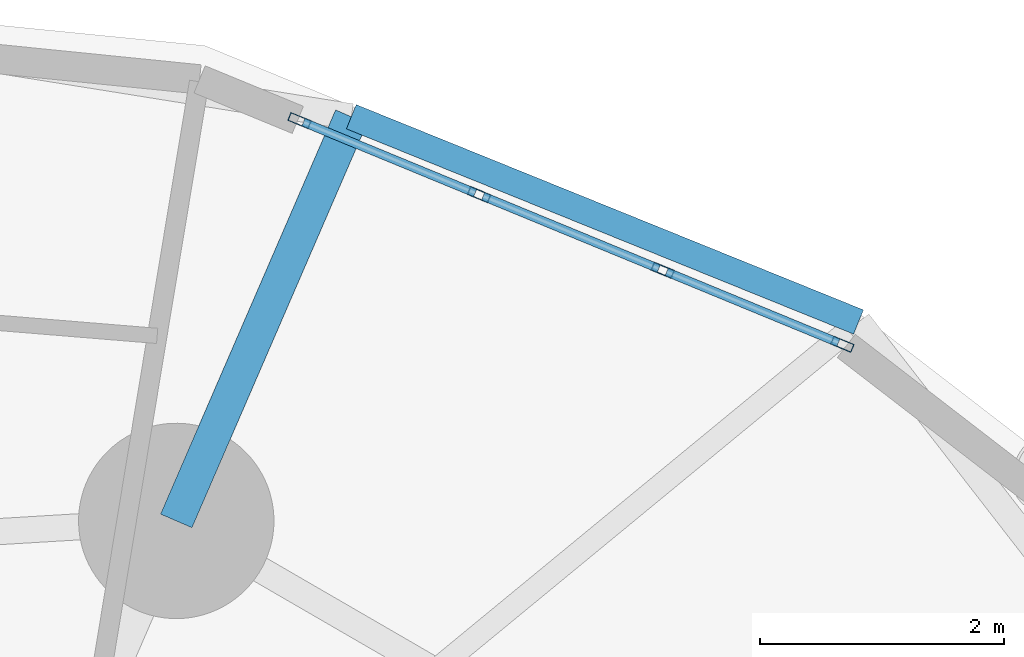
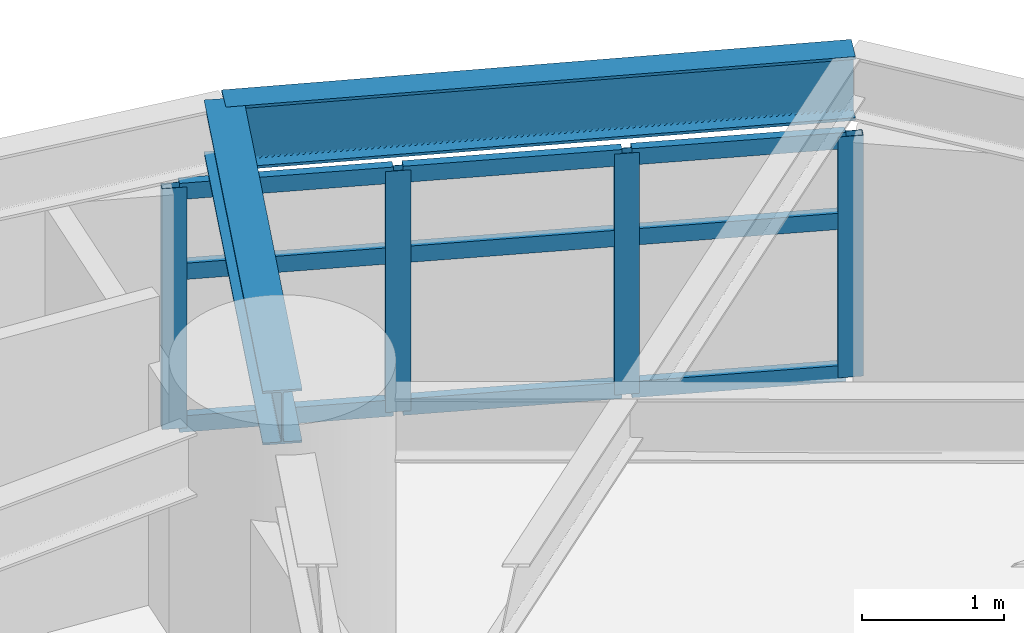
# One storey, part 6 of 19: 13 members, 2 beams, 1 element without a shape of its own.
"""IFC4 building model written with IfcOpenShell, lengths in metres."""

from ifc_helpers import new_model, si_unit, direction, frame, origin, origin_2d, place, context, subcontext, project, spatial, hollow_rectangle, i_section, extrude, material, layer, layer_set, material_profile, profile_set, type_object, element, aggregate, save


model = new_model("IFC4")

# Units and contexts
model_context = context("Model", 3, precision=1e-05, world=origin(), true_north=direction((0.0, 1.0)))
body_context = subcontext(model_context, "Body", "Model", "MODEL_VIEW")
ifc_project = project(units=[si_unit("LENGTHUNIT", "METRE"), si_unit("AREAUNIT", "SQUARE_METRE"), si_unit("VOLUMEUNIT", "CUBIC_METRE"), si_unit("PLANEANGLEUNIT", "RADIAN"), si_unit("MASSUNIT", "GRAM", prefix="KILO")], contexts=[model_context])

# Site, building, storey
site_placement = place(None, origin())
site = spatial("IfcSite", under=ifc_project, at=site_placement, CompositionType="ELEMENT")
building_placement = place(site_placement, origin())
building = spatial("IfcBuilding", under=site, at=building_placement, Name="Cununo Teusaquillo Station Towers", CompositionType="ELEMENT")
storey_placement = place(building_placement, frame((0.0, 0.0, 42.3701171875)))
storey = spatial("IfcBuildingStorey", under=building, at=storey_placement, Name="L12", CompositionType="ELEMENT", Elevation=42.3701171875)

# Beams
ifc_material_1 = material(Name="Steel ASTM A572 Grade 50", Category="steel")
ifc_material_profile_1 = material_profile(ifc_material_1, i_section(OverallWidth=0.280029296875, OverallDepth=0.462890625, WebThickness=0.0107421875, FlangeThickness=0.017333984375, FilletRadius=0.013916015625, at=origin_2d()), Name="W18X76")
ifc_profile_set_1 = profile_set([ifc_material_profile_1], Name="Steel ASTM A572 Grade 50")
beam_type_1 = type_object("IfcBeamType", Name="BM-RAD-G1", PredefinedType="BEAM", material=ifc_profile_set_1)
beam_1_placement = place(storey_placement, frame((58.291015625, 37.63525390625, 2.41845703125), z_axis=(0.397396574727, 0.91764697046, 0.0), x_axis=(-0.91764697046, 0.397396574727, 0.0)))
element("IfcBeam", 1, at=beam_1_placement, inside=storey, type_object=beam_type_1, Name="L12 Tower B Perimeter Overhang Girder 02B", PredefinedType="BEAM", context=body_context, shape_type="SweptSolid", body=[
    extrude(i_section(OverallWidth=0.280029296875, OverallDepth=0.462890625, WebThickness=0.0107421875, FlangeThickness=0.017333984375, FilletRadius=0.013916015625, at=origin_2d()), origin(), (0.0, 0.0, 1.0), 3.60693359375),
])
ifc_material_2 = material(Name="Steel ASTM A572 Grade 50", Category="steel")
ifc_material_profile_2 = material_profile(ifc_material_2, i_section(OverallWidth=0.214111328125, OverallDepth=0.549072265625, WebThickness=0.0146484375, FlangeThickness=0.023681640625, FilletRadius=0.014892578125, at=origin_2d()), Name="W21X93")
ifc_profile_set_2 = profile_set([ifc_material_profile_2], Name="Steel ASTM A572 Grade 50")
beam_type_2 = type_object("IfcBeamType", Name="BM-RING-Z1", PredefinedType="SPANDREL", material=ifc_profile_set_2)
beam_2_placement = place(storey_placement, frame((63.8779296875, 39.26416015625, 2.37548828125), z_axis=(-0.926969821386, 0.375135909025, 0.0), x_axis=(-0.375135909025, -0.926969821386, 0.0)))
element("IfcBeam", 2, at=beam_2_placement, inside=storey, type_object=beam_type_2, Name="L12 Tower B Spandrel Ring Beam 02", PredefinedType="SPANDREL", context=body_context, shape_type="SweptSolid", body=[
    extrude(i_section(OverallWidth=0.214111328125, OverallDepth=0.549072265625, WebThickness=0.0146484375, FlangeThickness=0.023681640625, FilletRadius=0.014892578125, at=origin_2d()), origin(), (0.0, 0.0, 1.0), 4.480712890625),
])

# Curtain wall, members
ifc_material_3 = material(Name="Ceramic-fritted dark low-E double glazing", Category="glass")
ifc_layer = layer(ifc_material_3, 0.179931640625)
ifc_layer_set = layer_set([ifc_layer], Name="Ceramic-fritted dark low-E double glazing")
curtain_wall_type = type_object("IfcCurtainWallType", Name="CW-SYS-02", PredefinedType="USERDEFINED", material=ifc_layer_set)
curtain_wall_placement = place(storey_placement, origin())
curtain_wall = element("IfcCurtainWall", 3, at=curtain_wall_placement, inside=storey, type_object=curtain_wall_type, Name="L12 Tower B Facade Curtain Wall C01", ObjectType="FRITTED GLAZING", PredefinedType="USERDEFINED")
ifc_material_4 = material(Name="Anodised dark bronze aluminium EN AW-6063-T6", Category="aluminium")
ifc_material_profile_3 = material_profile(ifc_material_4, hollow_rectangle(XDim=0.070068359375, YDim=0.179931640625, WallThickness=0.00390625, at=origin_2d()), Name="CW-MULL-70x180")
ifc_profile_set_3 = profile_set([ifc_material_profile_3], Name="Anodised dark bronze aluminium EN AW-6063-T6")
member_type_1 = type_object("IfcMemberType", Name="CWM-180", PredefinedType="MULLION", material=ifc_profile_set_3)
member_1_placement = place(storey_placement, frame((59.30029296875, 40.91357421875, 0.0), z_axis=(0.0, 0.0, 1.0), x_axis=(0.381054980568, 0.924552379146, 0.0)))
member_1 = element("IfcMember", 4, at=member_1_placement, type_object=member_type_1, Name="CW-02 mullion 1", PredefinedType="MULLION", context=body_context, shape_type="SweptSolid", body=[
    extrude(hollow_rectangle(XDim=0.070068359375, YDim=0.179931640625, WallThickness=0.00390625, at=origin_2d()), origin(), (0.0, 0.0, 1.0), 2.072998046875),
])
member_2_placement = place(storey_placement, frame((60.771240234375, 40.307373046875, 0.0), z_axis=(0.0, 0.0, 1.0), x_axis=(0.381054980568, 0.924552379146, 0.0)))
member_2 = element("IfcMember", 5, at=member_2_placement, type_object=member_type_1, Name="CW-02 mullion 2", PredefinedType="MULLION", context=body_context, shape_type="SweptSolid", body=[
    extrude(hollow_rectangle(XDim=0.070068359375, YDim=0.179931640625, WallThickness=0.00390625, at=origin_2d()), origin(), (0.0, 0.0, 1.0), 2.072998046875),
])
member_3_placement = place(storey_placement, frame((62.274658203125, 39.687744140625, 0.0), z_axis=(0.0, 0.0, 1.0), x_axis=(0.381054980568, 0.924552379146, 0.0)))
member_3 = element("IfcMember", 6, at=member_3_placement, type_object=member_type_1, Name="CW-02 mullion 3", PredefinedType="MULLION", context=body_context, shape_type="SweptSolid", body=[
    extrude(hollow_rectangle(XDim=0.070068359375, YDim=0.179931640625, WallThickness=0.00390625, at=origin_2d()), origin(), (0.0, 0.0, 1.0), 2.072998046875),
])
member_4_placement = place(storey_placement, frame((63.74560546875, 39.08154296875, 0.0), z_axis=(0.0, 0.0, 1.0), x_axis=(0.381054980568, 0.924552379146, 0.0)))
member_4 = element("IfcMember", 7, at=member_4_placement, type_object=member_type_1, Name="CW-02 mullion 4", PredefinedType="MULLION", context=body_context, shape_type="SweptSolid", body=[
    extrude(hollow_rectangle(XDim=0.070068359375, YDim=0.179931640625, WallThickness=0.00390625, at=origin_2d()), origin(), (0.0, 0.0, 1.0), 2.072998046875),
])
ifc_material_5 = material(Name="Anodised dark bronze aluminium EN AW-6063-T6", Category="aluminium")
ifc_material_profile_4 = material_profile(ifc_material_5, hollow_rectangle(XDim=0.070068359375, YDim=0.139892578125, WallThickness=0.00390625, at=origin_2d()), Name="CW-TRAN-70x140")
ifc_profile_set_4 = profile_set([ifc_material_profile_4], Name="Anodised dark bronze aluminium EN AW-6063-T6")
member_type_2 = type_object("IfcMemberType", Name="CWT-140", PredefinedType="USERDEFINED", material=ifc_profile_set_4)
member_5_placement = place(storey_placement, frame((59.33251953125, 40.900390625, 0.034912109375), z_axis=(0.924551727134, -0.381056562538, 0.0), x_axis=(0.381056562538, 0.924551727134, 0.0)))
member_5 = element("IfcMember", 8, at=member_5_placement, type_object=member_type_2, Name="CW-02 transom 1.1", ObjectType="TRANSOM", PredefinedType="USERDEFINED", context=body_context, shape_type="SweptSolid", body=[
    extrude(hollow_rectangle(XDim=0.070068359375, YDim=0.139892578125, WallThickness=0.00390625, at=origin_2d()), origin(), (0.0, 0.0, 1.0), 1.52099609375),
])
member_6_placement = place(storey_placement, frame((59.33251953125, 40.900390625, 1.346923828125), z_axis=(0.924551727134, -0.381056562538, 0.0), x_axis=(0.381056562538, 0.924551727134, 0.0)))
member_6 = element("IfcMember", 9, at=member_6_placement, type_object=member_type_2, Name="CW-02 transom 1.2", ObjectType="TRANSOM", PredefinedType="USERDEFINED", context=body_context, shape_type="SweptSolid", body=[
    extrude(hollow_rectangle(XDim=0.070068359375, YDim=0.139892578125, WallThickness=0.00390625, at=origin_2d()), origin(), (0.0, 0.0, 1.0), 1.52099609375),
])
member_7_placement = place(storey_placement, frame((59.33251953125, 40.900390625, 2.037841796875), z_axis=(0.924551727134, -0.381056562538, 0.0), x_axis=(0.381056562538, 0.924551727134, 0.0)))
member_7 = element("IfcMember", 10, at=member_7_placement, type_object=member_type_2, Name="CW-02 transom 1.3", ObjectType="TRANSOM", PredefinedType="USERDEFINED", context=body_context, shape_type="SweptSolid", body=[
    extrude(hollow_rectangle(XDim=0.070068359375, YDim=0.139892578125, WallThickness=0.00390625, at=origin_2d()), origin(), (0.0, 0.0, 1.0), 1.52099609375),
])
member_8_placement = place(storey_placement, frame((60.8037109375, 40.2939453125, 0.034912109375), z_axis=(0.924574069504, -0.381002349076, 0.0), x_axis=(0.381002349076, 0.924574069504, 0.0)))
member_8 = element("IfcMember", 11, at=member_8_placement, type_object=member_type_2, Name="CW-02 transom 2.1", ObjectType="TRANSOM", PredefinedType="USERDEFINED", context=body_context, shape_type="SweptSolid", body=[
    extrude(hollow_rectangle(XDim=0.070068359375, YDim=0.139892578125, WallThickness=0.00390625, at=origin_2d()), origin(), (0.0, 0.0, 1.0), 1.555908203125),
])
member_9_placement = place(storey_placement, frame((60.8037109375, 40.2939453125, 1.346923828125), z_axis=(0.924574069504, -0.381002349076, 0.0), x_axis=(0.381002349076, 0.924574069504, 0.0)))
member_9 = element("IfcMember", 12, at=member_9_placement, type_object=member_type_2, Name="CW-02 transom 2.2", ObjectType="TRANSOM", PredefinedType="USERDEFINED", context=body_context, shape_type="SweptSolid", body=[
    extrude(hollow_rectangle(XDim=0.070068359375, YDim=0.139892578125, WallThickness=0.00390625, at=origin_2d()), origin(), (0.0, 0.0, 1.0), 1.555908203125),
])
member_10_placement = place(storey_placement, frame((60.8037109375, 40.2939453125, 2.037841796875), z_axis=(0.924574069504, -0.381002349076, 0.0), x_axis=(0.381002349076, 0.924574069504, 0.0)))
member_10 = element("IfcMember", 13, at=member_10_placement, type_object=member_type_2, Name="CW-02 transom 2.3", ObjectType="TRANSOM", PredefinedType="USERDEFINED", context=body_context, shape_type="SweptSolid", body=[
    extrude(hollow_rectangle(XDim=0.070068359375, YDim=0.139892578125, WallThickness=0.00390625, at=origin_2d()), origin(), (0.0, 0.0, 1.0), 1.555908203125),
])
member_11_placement = place(storey_placement, frame((62.306884765625, 39.674560546875, 0.034912109375), z_axis=(0.924551727134, -0.381056562538, 0.0), x_axis=(0.381056562538, 0.924551727134, 0.0)))
member_11 = element("IfcMember", 14, at=member_11_placement, type_object=member_type_2, Name="CW-02 transom 3.1", ObjectType="TRANSOM", PredefinedType="USERDEFINED", context=body_context, shape_type="SweptSolid", body=[
    extrude(hollow_rectangle(XDim=0.070068359375, YDim=0.139892578125, WallThickness=0.00390625, at=origin_2d()), origin(), (0.0, 0.0, 1.0), 1.52099609375),
])
member_12_placement = place(storey_placement, frame((62.306884765625, 39.674560546875, 1.346923828125), z_axis=(0.924551727134, -0.381056562538, 0.0), x_axis=(0.381056562538, 0.924551727134, 0.0)))
member_12 = element("IfcMember", 15, at=member_12_placement, type_object=member_type_2, Name="CW-02 transom 3.2", ObjectType="TRANSOM", PredefinedType="USERDEFINED", context=body_context, shape_type="SweptSolid", body=[
    extrude(hollow_rectangle(XDim=0.070068359375, YDim=0.139892578125, WallThickness=0.00390625, at=origin_2d()), origin(), (0.0, 0.0, 1.0), 1.52099609375),
])
member_13_placement = place(storey_placement, frame((62.306884765625, 39.674560546875, 2.037841796875), z_axis=(0.924551727134, -0.381056562538, 0.0), x_axis=(0.381056562538, 0.924551727134, 0.0)))
member_13 = element("IfcMember", 16, at=member_13_placement, type_object=member_type_2, Name="CW-02 transom 3.3", ObjectType="TRANSOM", PredefinedType="USERDEFINED", context=body_context, shape_type="SweptSolid", body=[
    extrude(hollow_rectangle(XDim=0.070068359375, YDim=0.139892578125, WallThickness=0.00390625, at=origin_2d()), origin(), (0.0, 0.0, 1.0), 1.52099609375),
])
aggregate(curtain_wall, [member_1, member_2, member_3, member_4, member_5, member_6, member_7, member_8, member_9, member_10, member_11, member_12, member_13])

save(model, "model.ifc")
